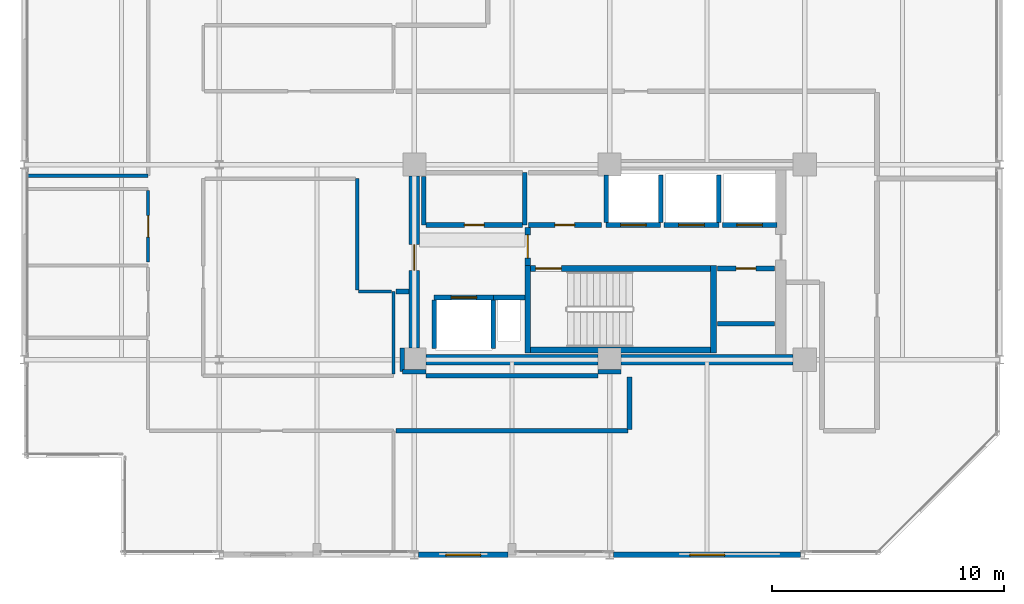
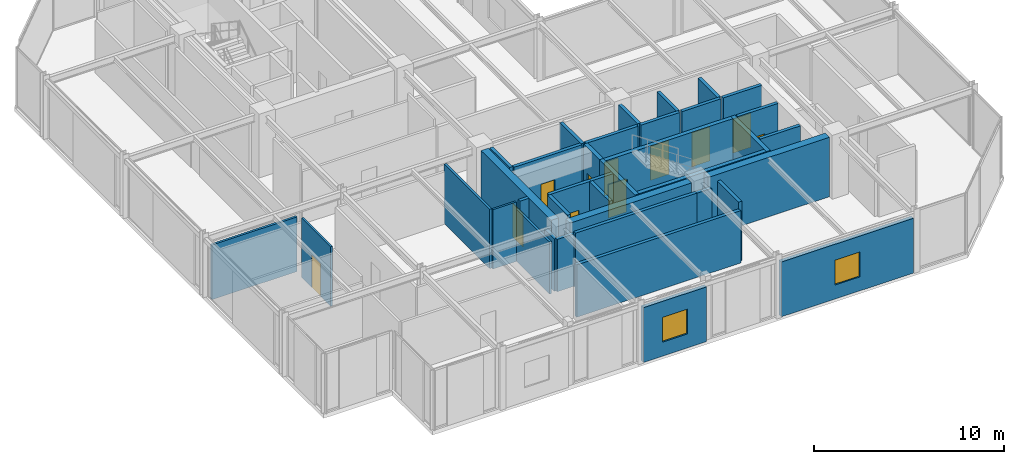
# One storey, part 20 of 25: 38 walls, 11 doors, 2 windows, 13 openings.
"""IFC4 building model written with IfcOpenShell, lengths in metres."""

from ifc_helpers import new_model, si_unit, direction, frame, frame_2d, origin, place, context, subcontext, project, spatial, rectangle, extrude, material, layer, layer_set, type_object, element, fill, save


model = new_model("IFC4")

# Units and contexts
model_context = context("Model", 3, precision=1e-05, world=origin(), true_north=direction((0.0, 1.0)))
body_context = subcontext(model_context, "Body", "Model", "MODEL_VIEW")
ifc_project = project(units=[si_unit("LENGTHUNIT", "METRE"), si_unit("AREAUNIT", "SQUARE_METRE"), si_unit("VOLUMEUNIT", "CUBIC_METRE"), si_unit("PLANEANGLEUNIT", "RADIAN"), si_unit("MASSUNIT", "GRAM", prefix="KILO")], contexts=[model_context])

# Site, building, storey
site_placement = place(None, origin())
site = spatial("IfcSite", under=ifc_project, at=site_placement, CompositionType="ELEMENT")
building_placement = place(site_placement, origin())
building = spatial("IfcBuilding", under=site, at=building_placement, Name="Nerrivon Quay Data Exchange", CompositionType="ELEMENT")
storey_placement = place(building_placement, frame((0.0, 0.0, 232.89990234375)))
storey = spatial("IfcBuildingStorey", under=building, at=storey_placement, Name="L55", CompositionType="ELEMENT", Elevation=232.89990234375)

# Wall, opening, window
ifc_material_1 = material(Name="Architectural terracotta precast concrete N50 (50 MPa)", Category="masonry")
ifc_layer_1 = layer(ifc_material_1, 0.239990234375)
ifc_layer_set_1 = layer_set([ifc_layer_1], Name="Architectural terracotta precast concrete N50 (50 MPa)")
wall_type_1 = type_object("IfcWallType", Name="EW-PREC-240", PredefinedType="STANDARD", material=ifc_layer_set_1)
wall_1_placement = place(storey_placement, frame((33.425048828125, 0.0, 0.0), z_axis=(0.0, 0.0, 1.0), x_axis=(-1.0, 0.0, 0.0)))
wall_1 = element("IfcWall", 1, at=wall_1_placement, inside=storey, type_object=wall_type_1, Name="L55 Podium Precast Spandrel Wall 3", PredefinedType="STANDARD", context=body_context, shape_type="SweptSolid", body=[
    extrude(rectangle(XDim=8.050048828125, YDim=0.239990234375, at=frame_2d((4.02490234375, 0.0))), origin(), (0.0, 0.0, 1.0), 3.525146484375),
])
opening_1_placement = place(wall_1_placement, frame((3.27490234375, 0.0, 0.89990234375)))
opening_1 = element("IfcOpeningElement", 2, at=opening_1_placement, cuts=wall_1, Name="Opening WN4", PredefinedType="OPENING", context=body_context, shape_type="SweptSolid", body=[
    extrude(rectangle(XDim=1.5, YDim=1.60009765625, at=frame_2d((0.75, 0.800048828125))), frame((0.0, 0.1298828125, 0.0), z_axis=(0.0, -1.0, 0.0), x_axis=(1.0, 0.0, 0.0)), (0.0, 0.0, 1.0), 0.260009765625),
])
ifc_material_2 = material(Name="Double-glazed low-E solar control glass", Category="glass")
window_type = type_object("IfcWindowType", Name="WIN-W4-1500x1600", PartitioningType="SINGLE_PANEL", PredefinedType="WINDOW", material=ifc_material_2)
window_1_placement = place(opening_1_placement, origin())
window_1 = element("IfcWindow", 3, at=window_1_placement, inside=storey, type_object=window_type, Name="L55 Solar Facade Window 3", OverallHeight=1.60009765625, OverallWidth=1.5, PartitioningType="SINGLE_PANEL", PredefinedType="WINDOW", context=body_context, shape_type="SweptSolid", body=[
    extrude(rectangle(XDim=1.5, YDim=1.60009765625, at=frame_2d((0.75, 0.800048828125))), frame((0.0, 0.030029296875, 0.0), z_axis=(0.0, -1.0, 0.0), x_axis=(1.0, 0.0, 0.0)), (0.0, 0.0, 1.0), 0.06005859375),
])
fill(opening_1, window_1)

wall_2_placement = place(storey_placement, frame((20.824951171875, 0.0, 0.0), z_axis=(0.0, 0.0, 1.0), x_axis=(-1.0, 0.0, 0.0)))
wall_2 = element("IfcWall", 4, at=wall_2_placement, inside=storey, type_object=wall_type_1, Name="L55 Podium Precast Spandrel Wall 5", PredefinedType="STANDARD", context=body_context, shape_type="SweptSolid", body=[
    extrude(rectangle(XDim=3.849853515625, YDim=0.239990234375, at=frame_2d((1.9248046875, 0.0))), origin(), (0.0, 0.0, 1.0), 3.525146484375),
])
opening_2_placement = place(wall_2_placement, frame((1.175048828125, 0.0, 0.89990234375)))
opening_2 = element("IfcOpeningElement", 5, at=opening_2_placement, cuts=wall_2, Name="Opening WN4", PredefinedType="OPENING", context=body_context, shape_type="SweptSolid", body=[
    extrude(rectangle(XDim=1.5, YDim=1.60009765625, at=frame_2d((0.75, 0.800048828125))), frame((0.0, 0.1298828125, 0.0), z_axis=(0.0, -1.0, 0.0), x_axis=(1.0, 0.0, 0.0)), (0.0, 0.0, 1.0), 0.260009765625),
])
window_2_placement = place(opening_2_placement, origin())
window_2 = element("IfcWindow", 6, at=window_2_placement, inside=storey, type_object=window_type, Name="L55 Solar Facade Window 5", OverallHeight=1.60009765625, OverallWidth=1.5, PartitioningType="SINGLE_PANEL", PredefinedType="WINDOW", context=body_context, shape_type="SweptSolid", body=[
    extrude(rectangle(XDim=1.5, YDim=1.60009765625, at=frame_2d((0.75, 0.800048828125))), frame((0.0, 0.030029296875, 0.0), z_axis=(0.0, -1.0, 0.0), x_axis=(1.0, 0.0, 0.0)), (0.0, 0.0, 1.0), 0.06005859375),
])
fill(opening_2, window_2)

# Walls
ifc_material_3 = material(Name="Concrete N50 (50 MPa)", Category="concrete")
ifc_layer_2 = layer(ifc_material_3, 0.449951171875)
ifc_layer_set_2 = layer_set([ifc_layer_2], Name="Concrete N50 (50 MPa)")
wall_type_2 = type_object("IfcWallType", Name="WALL-CW-550", PredefinedType="SHEAR", material=ifc_layer_set_2)
wall_3_placement = place(storey_placement, frame((17.300048828125, 8.39990234375, 0.0), z_axis=(0.0, 0.0, 1.0), x_axis=(1.0, 0.0, 0.0)))
element("IfcWall", 7, at=wall_3_placement, inside=storey, type_object=wall_type_2, Name="L55 East Split-Core Shear Wall ECW-S1", PredefinedType="SHEAR", context=body_context, shape_type="SweptSolid", body=[
    extrude(rectangle(XDim=7.39990234375, YDim=0.449951171875, at=frame_2d((3.699951171875, 0.0))), origin(), (0.0, 0.0, 1.0), 3.8251953125),
])
wall_4_placement = place(storey_placement, frame((25.699951171875, 8.39990234375, 0.0), z_axis=(0.0, 0.0, 1.0), x_axis=(1.0, 0.0, 0.0)))
element("IfcWall", 8, at=wall_4_placement, inside=storey, type_object=wall_type_2, Name="L55 East Split-Core Shear Wall ECW-S2", PredefinedType="SHEAR", context=body_context, shape_type="SweptSolid", body=[
    extrude(rectangle(XDim=7.400146484375, YDim=0.449951171875, at=frame_2d((3.7001953125, 0.0))), origin(), (0.0, 0.0, 1.0), 3.8251953125),
])

# Wall, opening, door
wall_5_placement = place(storey_placement, frame((16.800048828125, 8.89990234375, 0.0), z_axis=(0.0, 0.0, 1.0), x_axis=(0.0, 1.0, 0.0)))
wall_5 = element("IfcWall", 9, at=wall_5_placement, inside=storey, type_object=wall_type_2, Name="L55 East Split-Core Shear Wall ECW-W1", PredefinedType="SHEAR", context=body_context, shape_type="SweptSolid", body=[
    extrude(rectangle(XDim=7.400146484375, YDim=0.449951171875, at=frame_2d((3.7001953125, 0.0))), origin(), (0.0, 0.0, 1.0), 3.8251953125),
])
opening_3_placement = place(wall_5_placement, frame((3.35009765625, 0.0, 0.0)))
opening_3 = element("IfcOpeningElement", 10, at=opening_3_placement, cuts=wall_5, Name="Opening FD-120", PredefinedType="OPENING", context=body_context, shape_type="SweptSolid", body=[
    extrude(rectangle(XDim=1.10009765625, YDim=2.14990234375, at=frame_2d((0.550048828125, 1.074951171875))), frame((0.0, 0.23486328125, 0.0), z_axis=(0.0, -1.0, 0.0), x_axis=(1.0, 0.0, 0.0)), (0.0, 0.0, 1.0), 0.469970703125),
])
ifc_material_4 = material(Name="Powder-coated galvanized steel sheet", Category="steel")
door_type_1 = type_object("IfcDoorType", Name="DR-FD120-1100", OperationType="NOTDEFINED", PredefinedType="DOOR", material=ifc_material_4)
door_1_placement = place(opening_3_placement, origin())
door_1 = element("IfcDoor", 11, at=door_1_placement, inside=storey, type_object=door_type_1, Name="L55 East Core Lobby Fire Door", OperationType="SINGLE_SWING_RIGHT", OverallHeight=2.14990234375, OverallWidth=1.10009765625, PredefinedType="DOOR", context=body_context, shape_type="SweptSolid", body=[
    extrude(rectangle(XDim=1.10009765625, YDim=2.14990234375, at=frame_2d((0.550048828125, 1.074951171875))), frame((0.0, 0.02490234375, 0.0), z_axis=(0.0, -1.0, 0.0), x_axis=(1.0, 0.0, 0.0)), (0.0, 0.0, 1.0), 0.050048828125),
])
fill(opening_3, door_1)

# Wall
ifc_material_5 = material(Name="Gypsum plasterboard on cold-formed framing", Category="gypsum")
ifc_layer_3 = layer(ifc_material_5, 0.199951171875)
ifc_layer_set_3 = layer_set([ifc_layer_3], Name="Gypsum plasterboard on cold-formed framing")
wall_type_3 = type_object("IfcWallType", Name="WALL-FW-200", PredefinedType="PARTITIONING", material=ifc_layer_set_3)
wall_6_placement = place(storey_placement, frame((20.199951171875, 11.080078125, 0.0), z_axis=(0.0, 0.0, 1.0), x_axis=(1.0, 0.0, 0.0)))
element("IfcWall", 12, at=wall_6_placement, inside=storey, type_object=wall_type_3, Name="L55 East Core MEP Riser Shaft Wall N", PredefinedType="PARTITIONING", context=body_context, shape_type="SweptSolid", body=[
    extrude(rectangle(XDim=1.35009765625, YDim=0.199951171875, at=frame_2d((0.675048828125, 0.0))), origin(), (0.0, 0.0, 1.0), 3.8251953125),
])

# Wall, opening, door
wall_7_placement = place(storey_placement, frame((17.64990234375, 11.080078125, 0.0), z_axis=(0.0, 0.0, 1.0), x_axis=(1.0, 0.0, 0.0)))
wall_7 = element("IfcWall", 13, at=wall_7_placement, inside=storey, type_object=wall_type_3, Name="L55 Lift Front Wall FFL-2", PredefinedType="PARTITIONING", context=body_context, shape_type="SweptSolid", body=[
    extrude(rectangle(XDim=2.550048828125, YDim=0.199951171875, at=frame_2d((1.27490234375, 0.0))), origin(), (0.0, 0.0, 1.0), 3.8251953125),
])
opening_4_placement = place(wall_7_placement, frame((0.72509765625, 0.0, 0.0)))
opening_4 = element("IfcOpeningElement", 14, at=opening_4_placement, cuts=wall_7, Name="Opening LD-120", PredefinedType="OPENING", context=body_context, shape_type="SweptSolid", body=[
    extrude(rectangle(XDim=1.10009765625, YDim=2.199951171875, at=frame_2d((0.550048828125, 1.10009765625))), frame((0.0, 0.10986328125, 0.0), z_axis=(0.0, -1.0, 0.0), x_axis=(1.0, 0.0, 0.0)), (0.0, 0.0, 1.0), 0.219970703125),
])
door_type_2 = type_object("IfcDoorType", Name="DR-LIFT-LD120", OperationType="DOUBLE_DOOR_SLIDING", PredefinedType="DOOR", material=ifc_material_4)
door_2_placement = place(opening_4_placement, origin())
door_2 = element("IfcDoor", 15, at=door_2_placement, inside=storey, type_object=door_type_2, Name="L55 Lift Landing Sliding Door FFL-2", OperationType="DOUBLE_DOOR_SLIDING", OverallHeight=2.199951171875, OverallWidth=1.10009765625, PredefinedType="DOOR", context=body_context, shape_type="SweptSolid", body=[
    extrude(rectangle(XDim=1.10009765625, YDim=2.199951171875, at=frame_2d((0.550048828125, 1.10009765625))), frame((0.0, 0.02490234375, 0.0), z_axis=(0.0, -1.0, 0.0), x_axis=(1.0, 0.0, 0.0)), (0.0, 0.0, 1.0), 0.050048828125),
])
fill(opening_4, door_2)

# Walls
for number, where, z_axis, x_axis, name in (
    (16, (20.199951171875, 8.8798828125, 0.0), (0.0, 0.0, 1.0), (0.0, 1.0, 0.0), "L55 Lift Shaft Wall FFL-2 EAST"),
    (17, (17.64990234375, 8.8798828125, 0.0), (0.0, 0.0, 1.0), (0.0, 1.0, 0.0), "L55 Lift Shaft Wall FFL-2 WEST"),
):
    element("IfcWall", number, at=place(storey_placement, frame(where, z_axis=z_axis, x_axis=x_axis)), inside=storey, type_object=wall_type_3, Name=name, PredefinedType="PARTITIONING", context=body_context, shape_type="SweptSolid", body=[
        extrude(rectangle(XDim=2.10009765625, YDim=0.199951171875, at=frame_2d((1.050048828125, 0.0))), origin(), (0.0, 0.0, 1.0), 3.8251953125),
    ])

# Wall, opening, door
wall_8_placement = place(storey_placement, frame((25.050048828125, 14.199951171875, 0.0), z_axis=(0.0, 0.0, 1.0), x_axis=(1.0, 0.0, 0.0)))
wall_8 = element("IfcWall", 18, at=wall_8_placement, inside=storey, type_object=wall_type_3, Name="L55 Lift Front Wall PL7", PredefinedType="PARTITIONING", context=body_context, shape_type="SweptSolid", body=[
    extrude(rectangle(XDim=2.349853515625, YDim=0.199951171875, at=frame_2d((1.1748046875, 0.0))), origin(), (0.0, 0.0, 1.0), 3.8251953125),
])
opening_5_placement = place(wall_8_placement, frame((0.625, 0.0, 0.0)))
opening_5 = element("IfcOpeningElement", 19, at=opening_5_placement, cuts=wall_8, Name="Opening LD-120", PredefinedType="OPENING", context=body_context, shape_type="SweptSolid", body=[
    extrude(rectangle(XDim=1.10009765625, YDim=2.199951171875, at=frame_2d((0.550048828125, 1.10009765625))), frame((0.0, 0.10986328125, 0.0), z_axis=(0.0, -1.0, 0.0), x_axis=(1.0, 0.0, 0.0)), (0.0, 0.0, 1.0), 0.219970703125),
])
door_3_placement = place(opening_5_placement, origin())
door_3 = element("IfcDoor", 20, at=door_3_placement, inside=storey, type_object=door_type_2, Name="L55 Lift Landing Sliding Door PL7", OperationType="DOUBLE_DOOR_SLIDING", OverallHeight=2.199951171875, OverallWidth=1.10009765625, PredefinedType="DOOR", context=body_context, shape_type="SweptSolid", body=[
    extrude(rectangle(XDim=1.10009765625, YDim=2.199951171875, at=frame_2d((0.550048828125, 1.10009765625))), frame((0.0, 0.02490234375, 0.0), z_axis=(0.0, -1.0, 0.0), x_axis=(1.0, 0.0, 0.0)), (0.0, 0.0, 1.0), 0.050048828125),
])
fill(opening_5, door_3)

# Walls
for number, where, z_axis, x_axis, name in (
    (21, (27.39990234375, 14.300048828125, 0.0), (0.0, 0.0, 1.0), (0.0, 1.0, 0.0), "L55 Lift Shaft Wall PL7 EAST"),
    (22, (25.050048828125, 14.300048828125, 0.0), (0.0, 0.0, 1.0), (0.0, 1.0, 0.0), "L55 Lift Shaft Wall PL7 WEST"),
):
    element("IfcWall", number, at=place(storey_placement, frame(where, z_axis=z_axis, x_axis=x_axis)), inside=storey, type_object=wall_type_3, Name=name, PredefinedType="PARTITIONING", context=body_context, shape_type="SweptSolid", body=[
        extrude(rectangle(XDim=2.050048828125, YDim=0.199951171875, at=frame_2d((1.02490234375, 0.0))), origin(), (0.0, 0.0, 1.0), 3.8251953125),
    ])

# Wall, opening, door
wall_9_placement = place(storey_placement, frame((27.550048828125, 14.199951171875, 0.0), z_axis=(0.0, 0.0, 1.0), x_axis=(1.0, 0.0, 0.0)))
wall_9 = element("IfcWall", 23, at=wall_9_placement, inside=storey, type_object=wall_type_3, Name="L55 Lift Front Wall PL8", PredefinedType="PARTITIONING", context=body_context, shape_type="SweptSolid", body=[
    extrude(rectangle(XDim=2.349853515625, YDim=0.199951171875, at=frame_2d((1.1748046875, 0.0))), origin(), (0.0, 0.0, 1.0), 3.8251953125),
])
opening_6_placement = place(wall_9_placement, frame((0.625, 0.0, 0.0)))
opening_6 = element("IfcOpeningElement", 24, at=opening_6_placement, cuts=wall_9, Name="Opening LD-120", PredefinedType="OPENING", context=body_context, shape_type="SweptSolid", body=[
    extrude(rectangle(XDim=1.10009765625, YDim=2.199951171875, at=frame_2d((0.550048828125, 1.10009765625))), frame((0.0, 0.10986328125, 0.0), z_axis=(0.0, -1.0, 0.0), x_axis=(1.0, 0.0, 0.0)), (0.0, 0.0, 1.0), 0.219970703125),
])
door_4_placement = place(opening_6_placement, origin())
door_4 = element("IfcDoor", 25, at=door_4_placement, inside=storey, type_object=door_type_2, Name="L55 Lift Landing Sliding Door PL8", OperationType="DOUBLE_DOOR_SLIDING", OverallHeight=2.199951171875, OverallWidth=1.10009765625, PredefinedType="DOOR", context=body_context, shape_type="SweptSolid", body=[
    extrude(rectangle(XDim=1.10009765625, YDim=2.199951171875, at=frame_2d((0.550048828125, 1.10009765625))), frame((0.0, 0.02490234375, 0.0), z_axis=(0.0, -1.0, 0.0), x_axis=(1.0, 0.0, 0.0)), (0.0, 0.0, 1.0), 0.050048828125),
])
fill(opening_6, door_4)

# Wall
wall_10_placement = place(storey_placement, frame((29.89990234375, 14.300048828125, 0.0), z_axis=(0.0, 0.0, 1.0), x_axis=(0.0, 1.0, 0.0)))
element("IfcWall", 26, at=wall_10_placement, inside=storey, type_object=wall_type_3, Name="L55 Lift Shaft Wall PL8 EAST", PredefinedType="PARTITIONING", context=body_context, shape_type="SweptSolid", body=[
    extrude(rectangle(XDim=2.050048828125, YDim=0.199951171875, at=frame_2d((1.02490234375, 0.0))), origin(), (0.0, 0.0, 1.0), 3.8251953125),
])

# Wall, opening, door
wall_11_placement = place(storey_placement, frame((30.050048828125, 14.199951171875, 0.0), z_axis=(0.0, 0.0, 1.0), x_axis=(1.0, 0.0, 0.0)))
wall_11 = element("IfcWall", 27, at=wall_11_placement, inside=storey, type_object=wall_type_3, Name="L55 Lift Front Wall PL9", PredefinedType="PARTITIONING", context=body_context, shape_type="SweptSolid", body=[
    extrude(rectangle(XDim=2.349853515625, YDim=0.199951171875, at=frame_2d((1.1748046875, 0.0))), origin(), (0.0, 0.0, 1.0), 3.8251953125),
])
opening_7_placement = place(wall_11_placement, frame((0.625, 0.0, 0.0)))
opening_7 = element("IfcOpeningElement", 28, at=opening_7_placement, cuts=wall_11, Name="Opening LD-120", PredefinedType="OPENING", context=body_context, shape_type="SweptSolid", body=[
    extrude(rectangle(XDim=1.10009765625, YDim=2.199951171875, at=frame_2d((0.550048828125, 1.10009765625))), frame((0.0, 0.10986328125, 0.0), z_axis=(0.0, -1.0, 0.0), x_axis=(1.0, 0.0, 0.0)), (0.0, 0.0, 1.0), 0.219970703125),
])
door_5_placement = place(opening_7_placement, origin())
door_5 = element("IfcDoor", 29, at=door_5_placement, inside=storey, type_object=door_type_2, Name="L55 Lift Landing Sliding Door PL9", OperationType="DOUBLE_DOOR_SLIDING", OverallHeight=2.199951171875, OverallWidth=1.10009765625, PredefinedType="DOOR", context=body_context, shape_type="SweptSolid", body=[
    extrude(rectangle(XDim=1.10009765625, YDim=2.199951171875, at=frame_2d((0.550048828125, 1.10009765625))), frame((0.0, 0.02490234375, 0.0), z_axis=(0.0, -1.0, 0.0), x_axis=(1.0, 0.0, 0.0)), (0.0, 0.0, 1.0), 0.050048828125),
])
fill(opening_7, door_5)

# Walls
wall_12_placement = place(storey_placement, frame((21.550048828125, 14.199951171875, 0.0), z_axis=(0.0, 0.0, 1.0), x_axis=(0.0, 1.0, 0.0)))
element("IfcWall", 30, at=wall_12_placement, inside=storey, type_object=wall_type_3, Name="L55 Partition High-Zone Calibration Store", PredefinedType="PARTITIONING", context=body_context, shape_type="SweptSolid", body=[
    extrude(rectangle(XDim=2.25, YDim=0.199951171875, at=frame_2d((1.125, 0.0))), origin(), (0.0, 0.0, 1.0), 3.8251953125),
])
wall_13_placement = place(storey_placement, frame((17.199951171875, 16.294921875, 0.0), z_axis=(0.0, 0.0, 1.0), x_axis=(0.0, -1.0, 0.0)))
element("IfcWall", 31, at=wall_13_placement, inside=storey, type_object=wall_type_3, Name="L55 Partition High-Zone Calibration Store", PredefinedType="PARTITIONING", context=body_context, shape_type="SweptSolid", body=[
    extrude(rectangle(XDim=2.094970703125, YDim=0.199951171875, at=frame_2d((1.04736328125, 0.0))), origin(), (0.0, 0.0, 1.0), 3.8251953125),
])

# Wall, opening, door
wall_14_placement = place(storey_placement, frame((17.303955078125, 14.199951171875, 0.0), z_axis=(0.0, 0.0, 1.0), x_axis=(1.0, 0.0, 0.0)))
wall_14 = element("IfcWall", 32, at=wall_14_placement, inside=storey, type_object=wall_type_3, Name="L55 Partition High-Zone Calibration Store", PredefinedType="PARTITIONING", context=body_context, shape_type="SweptSolid", body=[
    extrude(rectangle(XDim=4.14208984375, YDim=0.199951171875, at=frame_2d((2.071044921875, 0.0))), origin(), (0.0, 0.0, 1.0), 3.8251953125),
])
opening_8_placement = place(wall_14_placement, frame((1.64599609375, 0.0, 0.0)))
opening_8 = element("IfcOpeningElement", 33, at=opening_8_placement, cuts=wall_14, Name="Opening FD-60S", PredefinedType="OPENING", context=body_context, shape_type="SweptSolid", body=[
    extrude(rectangle(XDim=0.85009765625, YDim=2.14990234375, at=frame_2d((0.425048828125, 1.074951171875))), frame((0.0, 0.10986328125, 0.0), z_axis=(0.0, -1.0, 0.0), x_axis=(1.0, 0.0, 0.0)), (0.0, 0.0, 1.0), 0.219970703125),
])
ifc_material_6 = material(Name="Engineered hardwood timber", Category="wood")
door_type_3 = type_object("IfcDoorType", Name="DR-FD60-850", OperationType="NOTDEFINED", PredefinedType="DOOR", material=ifc_material_6)
door_6_placement = place(opening_8_placement, origin())
door_6 = element("IfcDoor", 34, at=door_6_placement, inside=storey, type_object=door_type_3, Name="L55 Door High-Zone Calibration Store", OperationType="SINGLE_SWING_LEFT", OverallHeight=2.14990234375, OverallWidth=0.85009765625, PredefinedType="DOOR", context=body_context, shape_type="SweptSolid", body=[
    extrude(rectangle(XDim=0.85009765625, YDim=2.14990234375, at=frame_2d((0.425048828125, 1.074951171875))), frame((0.0, 0.02490234375, 0.0), z_axis=(0.0, -1.0, 0.0), x_axis=(1.0, 0.0, 0.0)), (0.0, 0.0, 1.0), 0.050048828125),
])
fill(opening_8, door_6)

wall_15_placement = place(storey_placement, frame((21.699951171875, 14.199951171875, 0.0), z_axis=(0.0, 0.0, 1.0), x_axis=(1.0, 0.0, 0.0)))
wall_15 = element("IfcWall", 35, at=wall_15_placement, inside=storey, type_object=wall_type_3, Name="L55 Partition High-Zone Network Closet", PredefinedType="PARTITIONING", context=body_context, shape_type="SweptSolid", body=[
    extrude(rectangle(XDim=3.150146484375, YDim=0.199951171875, at=frame_2d((1.5751953125, 0.0))), origin(), (0.0, 0.0, 1.0), 3.8251953125),
])
opening_9_placement = place(wall_15_placement, frame((1.14990234375, 0.0, 0.0)))
opening_9 = element("IfcOpeningElement", 36, at=opening_9_placement, cuts=wall_15, Name="Opening FD-60S", PredefinedType="OPENING", context=body_context, shape_type="SweptSolid", body=[
    extrude(rectangle(XDim=0.85009765625, YDim=2.14990234375, at=frame_2d((0.425048828125, 1.074951171875))), frame((0.0, 0.10986328125, 0.0), z_axis=(0.0, -1.0, 0.0), x_axis=(1.0, 0.0, 0.0)), (0.0, 0.0, 1.0), 0.219970703125),
])
door_7_placement = place(opening_9_placement, origin())
door_7 = element("IfcDoor", 37, at=door_7_placement, inside=storey, type_object=door_type_3, Name="L55 Door High-Zone Network Closet", OperationType="SINGLE_SWING_RIGHT", OverallHeight=2.14990234375, OverallWidth=0.85009765625, PredefinedType="DOOR", context=body_context, shape_type="SweptSolid", body=[
    extrude(rectangle(XDim=0.85009765625, YDim=2.14990234375, at=frame_2d((0.425048828125, 1.074951171875))), frame((0.0, 0.02490234375, 0.0), z_axis=(0.0, -1.0, 0.0), x_axis=(1.0, 0.0, 0.0)), (0.0, 0.0, 1.0), 0.050048828125),
])
fill(opening_9, door_7)

wall_16_placement = place(storey_placement, frame((32.300048828125, 12.330078125, 0.0), z_axis=(0.0, 0.0, 1.0), x_axis=(-1.0, 0.0, 0.0)))
wall_16 = element("IfcWall", 38, at=wall_16_placement, inside=storey, type_object=wall_type_3, Name="L55 Partition East Supply Store", PredefinedType="PARTITIONING", context=body_context, shape_type="SweptSolid", body=[
    extrude(rectangle(XDim=2.449951171875, YDim=0.199951171875, at=frame_2d((1.22509765625, 0.0))), origin(), (0.0, 0.0, 1.0), 3.8251953125),
])
opening_10_placement = place(wall_16_placement, frame((0.800048828125, 0.0, 0.0)))
opening_10 = element("IfcOpeningElement", 39, at=opening_10_placement, cuts=wall_16, Name="Opening FD-60S", PredefinedType="OPENING", context=body_context, shape_type="SweptSolid", body=[
    extrude(rectangle(XDim=0.85009765625, YDim=2.14990234375, at=frame_2d((0.425048828125, 1.074951171875))), frame((0.0, 0.10986328125, 0.0), z_axis=(0.0, -1.0, 0.0), x_axis=(1.0, 0.0, 0.0)), (0.0, 0.0, 1.0), 0.219970703125),
])
door_8_placement = place(opening_10_placement, origin())
door_8 = element("IfcDoor", 40, at=door_8_placement, inside=storey, type_object=door_type_3, Name="L55 Door East Supply Store", OperationType="SINGLE_SWING_LEFT", OverallHeight=2.14990234375, OverallWidth=0.85009765625, PredefinedType="DOOR", context=body_context, shape_type="SweptSolid", body=[
    extrude(rectangle(XDim=0.85009765625, YDim=2.14990234375, at=frame_2d((0.425048828125, 1.074951171875))), frame((0.0, 0.02490234375, 0.0), z_axis=(0.0, -1.0, 0.0), x_axis=(1.0, 0.0, 0.0)), (0.0, 0.0, 1.0), 0.050048828125),
])
fill(opening_10, door_8)

# Walls
wall_17_placement = place(storey_placement, frame((29.85009765625, 9.949951171875, 0.0), z_axis=(0.0, 0.0, 1.0), x_axis=(1.0, 0.0, 0.0)))
element("IfcWall", 41, at=wall_17_placement, inside=storey, type_object=wall_type_3, Name="L55 Partition East Supply Store", PredefinedType="PARTITIONING", context=body_context, shape_type="SweptSolid", body=[
    extrude(rectangle(XDim=2.449951171875, YDim=0.199951171875, at=frame_2d((1.22509765625, 0.0))), origin(), (0.0, 0.0, 1.0), 3.8251953125),
])
wall_18_placement = place(storey_placement, frame((26.0, 5.340087890625, 0.0), z_axis=(0.0, 0.0, 1.0), x_axis=(-1.0, 0.0, 0.0)))
element("IfcWall", 42, at=wall_18_placement, inside=storey, type_object=wall_type_3, Name="L55 Partition Colocation Data Workspace 1", PredefinedType="PARTITIONING", context=body_context, shape_type="SweptSolid", body=[
    extrude(rectangle(XDim=9.9853515625, YDim=0.199951171875, at=frame_2d((4.99267578125, 0.0))), origin(), (0.0, 0.0, 1.0), 3.37109375),
])
wall_19_placement = place(storey_placement, frame((25.699951171875, 7.8798828125, 0.0), z_axis=(0.0, 0.0, 1.0), x_axis=(-0.999999528702, 0.000970873329, 0.0)))
element("IfcWall", 43, at=wall_19_placement, inside=storey, type_object=wall_type_3, Name="L55 Partition Colocation Data Workspace 1", PredefinedType="PARTITIONING", context=body_context, shape_type="SweptSolid", body=[
    extrude(rectangle(XDim=1.005859375, YDim=0.199951171875, at=frame_2d((0.5029296875, 0.0))), origin(), (0.0, 0.0, 1.0), 3.37109375),
])
wall_20_placement = place(storey_placement, frame((17.305908203125, 7.880859375, 0.0), z_axis=(0.0, 0.0, 1.0), x_axis=(-1.0, 0.0, 0.0)))
element("IfcWall", 44, at=wall_20_placement, inside=storey, type_object=wall_type_3, Name="L55 Partition Colocation Data Workspace 1", PredefinedType="PARTITIONING", context=body_context, shape_type="SweptSolid", body=[
    extrude(rectangle(XDim=1.01171875, YDim=0.199951171875, at=frame_2d((0.505859375, 0.0))), origin(), (0.0, 0.0, 1.0), 3.37109375),
])
wall_21_placement = place(storey_placement, frame((16.280029296875, 7.89990234375, 0.0), z_axis=(0.0, 0.0, 1.0), x_axis=(0.000970873329, 0.999999528702, 0.0)))
element("IfcWall", 45, at=wall_21_placement, inside=storey, type_object=wall_type_3, Name="L55 Partition Colocation Data Workspace 1", PredefinedType="PARTITIONING", context=body_context, shape_type="SweptSolid", body=[
    extrude(rectangle(XDim=1.005859375, YDim=0.199951171875, at=frame_2d((0.5029296875, 0.0))), origin(), (0.0, 0.0, 1.0), 3.364990234375),
])
wall_22_placement = place(storey_placement, frame((16.571044921875, 11.340087890625, 0.0), z_axis=(0.0, 0.0, 1.0), x_axis=(-1.0, 0.0, 0.0)))
element("IfcWall", 46, at=wall_22_placement, inside=storey, type_object=wall_type_3, Name="L55 Partition Colocation Data Workspace 1", PredefinedType="PARTITIONING", context=body_context, shape_type="SweptSolid", body=[
    extrude(rectangle(XDim=0.556396484375, YDim=0.199951171875, at=frame_2d((0.2783203125, 0.0))), origin(), (0.0, 0.0, 1.0), 3.8251953125),
])
wall_23_placement = place(storey_placement, frame((17.305908203125, 7.7099609375, 0.0), z_axis=(0.0, 0.0, 1.0), x_axis=(0.999999999454, -3.3044743e-05, 0.0)))
element("IfcWall", 47, at=wall_23_placement, inside=storey, type_object=wall_type_3, Name="L55 Partition Colocation Data Workspace 1", PredefinedType="PARTITIONING", context=body_context, shape_type="SweptSolid", body=[
    extrude(rectangle(XDim=7.38818359375, YDim=0.199951171875, at=frame_2d((3.694091796875, 0.0))), origin(), (0.0, 0.0, 1.0), 3.51806640625),
])
wall_24_placement = place(storey_placement, frame((26.06005859375, 7.64990234375, 0.0), z_axis=(0.0, 0.0, 1.0), x_axis=(0.0, -1.0, 0.0)))
element("IfcWall", 48, at=wall_24_placement, inside=storey, type_object=wall_type_3, Name="L55 Partition Colocation Data Workspace 1", PredefinedType="PARTITIONING", context=body_context, shape_type="SweptSolid", body=[
    extrude(rectangle(XDim=2.25, YDim=0.199951171875, at=frame_2d((1.125, 0.0))), origin(), (0.0, 0.0, 1.0), 3.8251953125),
])

# Wall, opening, door
ifc_layer_4 = layer(ifc_material_5, 0.1201171875)
ifc_layer_set_4 = layer_set([ifc_layer_4], Name="Gypsum plasterboard on cold-formed framing")
wall_type_4 = type_object("IfcWallType", Name="WALL-PT-120", PredefinedType="PARTITIONING", material=ifc_layer_set_4)
wall_25_placement = place(storey_placement, frame((5.340087890625, 12.60009765625, 0.0), z_axis=(0.0, 0.0, 1.0), x_axis=(0.0, 1.0, 0.0)))
wall_25 = element("IfcWall", 49, at=wall_25_placement, inside=storey, type_object=wall_type_4, Name="L55 Partition Public Washrooms", PredefinedType="PARTITIONING", context=body_context, shape_type="SweptSolid", body=[
    extrude(rectangle(XDim=3.078369140625, YDim=0.1201171875, at=frame_2d((1.5390625, 0.0))), origin(), (0.0, 0.0, 1.0), 3.8251953125),
])
opening_11_placement = place(wall_25_placement, frame((1.079345703125, 0.0, 0.0)))
opening_11 = element("IfcOpeningElement", 50, at=opening_11_placement, cuts=wall_25, Name="Opening D-WC", PredefinedType="OPENING", context=body_context, shape_type="SweptSolid", body=[
    extrude(rectangle(XDim=0.919921875, YDim=2.10009765625, at=frame_2d((0.4599609375, 1.050048828125))), frame((0.0, 0.070068359375, 0.0), z_axis=(0.0, -1.0, 0.0), x_axis=(1.0, 0.0, 0.0)), (0.0, 0.0, 1.0), 0.14013671875),
])
door_type_4 = type_object("IfcDoorType", Name="DR-WC-920", OperationType="NOTDEFINED", PredefinedType="DOOR", material=ifc_material_6)
door_9_placement = place(opening_11_placement, origin())
door_9 = element("IfcDoor", 51, at=door_9_placement, inside=storey, type_object=door_type_4, Name="L55 Door Public Washrooms", OperationType="SINGLE_SWING_LEFT", OverallHeight=2.10009765625, OverallWidth=0.919921875, PredefinedType="DOOR", context=body_context, shape_type="SweptSolid", body=[
    extrude(rectangle(XDim=0.919921875, YDim=2.10009765625, at=frame_2d((0.4599609375, 1.050048828125))), frame((0.0, 0.02490234375, 0.0), z_axis=(0.0, -1.0, 0.0), x_axis=(1.0, 0.0, 0.0)), (0.0, 0.0, 1.0), 0.050048828125),
])
fill(opening_11, door_9)

# Walls
wall_26_placement = place(storey_placement, frame((15.822998046875, 11.340087890625, 0.0), z_axis=(0.0, 0.0, 1.0), x_axis=(-1.0, 0.0, 0.0)))
element("IfcWall", 52, at=wall_26_placement, inside=storey, type_object=wall_type_4, Name="L55 Partition Engineers Lounge", PredefinedType="PARTITIONING", context=body_context, shape_type="SweptSolid", body=[
    extrude(rectangle(XDim=1.423095703125, YDim=0.1201171875, at=frame_2d((0.71142578125, 0.0))), origin(), (0.0, 0.0, 1.0), 3.8251953125),
])
ifc_layer_5 = layer(ifc_material_5, 0.135009765625)
ifc_layer_set_5 = layer_set([ifc_layer_5], Name="Gypsum plasterboard on cold-formed framing")
wall_type_5 = type_object("IfcWallType", Name="WALL-PT-135", PredefinedType="PARTITIONING", material=ifc_layer_set_5)
wall_27_placement = place(storey_placement, frame((15.89453125, 7.788818359375, 0.0), z_axis=(0.0, 0.0, 1.0), x_axis=(0.0, 1.0, 0.0)))
element("IfcWall", 53, at=wall_27_placement, inside=storey, type_object=wall_type_5, Name="L55 Partition Engineers Lounge", PredefinedType="PARTITIONING", context=body_context, shape_type="SweptSolid", body=[
    extrude(rectangle(XDim=3.55126953125, YDim=0.135009765625, at=frame_2d((1.775634765625, 0.0))), origin(), (0.0, 0.0, 1.0), 3.364990234375),
])
wall_28_placement = place(storey_placement, frame((14.340087890625, 11.39990234375, 0.0), z_axis=(0.0, 0.0, 1.0), x_axis=(0.0, 1.0, 0.0)))
element("IfcWall", 54, at=wall_28_placement, inside=storey, type_object=wall_type_5, Name="L55 Partition Engineers Lounge", PredefinedType="PARTITIONING", context=body_context, shape_type="SweptSolid", body=[
    extrude(rectangle(XDim=4.80078125, YDim=0.135009765625, at=frame_2d((2.400390625, 0.0))), origin(), (0.0, 0.0, 1.0), 3.8251953125),
])
wall_29_placement = place(storey_placement, frame((0.1689453125, 16.32080078125, 0.0), z_axis=(0.0, 0.0, 1.0), x_axis=(1.0, 0.0, 0.0)))
element("IfcWall", 55, at=wall_29_placement, inside=storey, type_object=wall_type_5, Name="L55 Partition Technical Library", PredefinedType="PARTITIONING", context=body_context, shape_type="SweptSolid", body=[
    extrude(rectangle(XDim=5.171142578125, YDim=0.135009765625, at=frame_2d((2.58544921875, 0.0))), origin(), (0.0, 0.0, 1.0), 3.51806640625),
])
ifc_layer_6 = layer(ifc_material_3, 0.25)
ifc_layer_set_6 = layer_set([ifc_layer_6], Name="Concrete N50 (50 MPa)")
wall_type_6 = type_object("IfcWallType", Name="WALL-SW-250", PredefinedType="SHEAR", material=ifc_layer_set_6)
for number, where, z_axis, x_axis, name in (
    (56, (21.675048828125, 8.699951171875, 0.0), (0.0, 0.0, 1.0), (0.0, 1.0, 0.0), "L55 ST02 Structural Stair Core Wall NEAR"),
    (57, (29.675048828125, 8.699951171875, 0.0), (0.0, 0.0, 1.0), (0.0, 1.0, 0.0), "L55 ST02 Structural Stair Core Wall FAR"),
):
    element("IfcWall", number, at=place(storey_placement, frame(where, z_axis=z_axis, x_axis=x_axis)), inside=storey, type_object=wall_type_6, Name=name, PredefinedType="SHEAR", context=body_context, shape_type="SweptSolid", body=[
        extrude(rectangle(XDim=3.75, YDim=0.25, at=frame_2d((1.875, 0.0))), origin(), (0.0, 0.0, 1.0), 3.8251953125),
    ])
wall_30_placement = place(storey_placement, frame((21.800048828125, 8.824951171875, 0.0), z_axis=(0.0, 0.0, 1.0), x_axis=(1.0, 0.0, 0.0)))
element("IfcWall", 58, at=wall_30_placement, inside=storey, type_object=wall_type_6, Name="L55 ST02 Structural Stair Core Wall LEFT", PredefinedType="SHEAR", context=body_context, shape_type="SweptSolid", body=[
    extrude(rectangle(XDim=7.75, YDim=0.25, at=frame_2d((3.875, 0.0))), origin(), (0.0, 0.0, 1.0), 3.8251953125),
])

# Wall, opening, door
wall_31_placement = place(storey_placement, frame((21.800048828125, 12.324951171875, 0.0), z_axis=(0.0, 0.0, 1.0), x_axis=(1.0, 0.0, 0.0)))
wall_31 = element("IfcWall", 59, at=wall_31_placement, inside=storey, type_object=wall_type_6, Name="L55 ST02 Structural Stair Core Wall RIGHT", PredefinedType="SHEAR", context=body_context, shape_type="SweptSolid", body=[
    extrude(rectangle(XDim=7.75, YDim=0.25, at=frame_2d((3.875, 0.0))), origin(), (0.0, 0.0, 1.0), 3.8251953125),
])
opening_12_placement = place(wall_31_placement, frame((0.219970703125, 0.0, 0.0)))
opening_12 = element("IfcOpeningElement", 60, at=opening_12_placement, cuts=wall_31, Name="Opening FD-120", PredefinedType="OPENING", context=body_context, shape_type="SweptSolid", body=[
    extrude(rectangle(XDim=1.10009765625, YDim=2.14990234375, at=frame_2d((0.550048828125, 1.074951171875))), frame((0.0, 0.135009765625, 0.0), z_axis=(0.0, -1.0, 0.0), x_axis=(1.0, 0.0, 0.0)), (0.0, 0.0, 1.0), 0.27001953125),
])
door_10_placement = place(opening_12_placement, origin())
door_10 = element("IfcDoor", 61, at=door_10_placement, inside=storey, type_object=door_type_1, Name="L55 Protected Stair Door ST02", OperationType="SINGLE_SWING_RIGHT", OverallHeight=2.14990234375, OverallWidth=1.10009765625, PredefinedType="DOOR", context=body_context, shape_type="SweptSolid", body=[
    extrude(rectangle(XDim=1.10009765625, YDim=2.14990234375, at=frame_2d((0.550048828125, 1.074951171875))), frame((0.0, 0.02490234375, 0.0), z_axis=(0.0, -1.0, 0.0), x_axis=(1.0, 0.0, 0.0)), (0.0, 0.0, 1.0), 0.050048828125),
])
fill(opening_12, door_10)

wall_32_placement = place(storey_placement, frame((21.679931640625, 12.449951171875, 0.0), z_axis=(0.0, 0.0, 1.0), x_axis=(0.0, 1.0, 0.0)))
wall_32 = element("IfcWall", 62, at=wall_32_placement, inside=storey, type_object=wall_type_6, Name="L55 East Firefighting Lobby Wall", PredefinedType="SHEAR", context=body_context, shape_type="SweptSolid", body=[
    extrude(rectangle(XDim=1.650146484375, YDim=0.25, at=frame_2d((0.8251953125, 0.0))), origin(), (0.0, 0.0, 1.0), 3.8251953125),
])
opening_13_placement = place(wall_32_placement, frame((0.324951171875, 0.0, 0.0)))
opening_13 = element("IfcOpeningElement", 63, at=opening_13_placement, cuts=wall_32, Name="Opening FD-60", PredefinedType="OPENING", context=body_context, shape_type="SweptSolid", body=[
    extrude(rectangle(XDim=1.0, YDim=2.14990234375, at=frame_2d((0.5, 1.074951171875))), frame((0.0, 0.135009765625, 0.0), z_axis=(0.0, -1.0, 0.0), x_axis=(1.0, 0.0, 0.0)), (0.0, 0.0, 1.0), 0.27001953125),
])
door_type_5 = type_object("IfcDoorType", Name="DR-FD60-1000", OperationType="NOTDEFINED", PredefinedType="DOOR", material=ifc_material_6)
door_11_placement = place(opening_13_placement, origin())
door_11 = element("IfcDoor", 64, at=door_11_placement, inside=storey, type_object=door_type_5, Name="L55 East Firefighting Lobby Fire Door", OperationType="SINGLE_SWING_RIGHT", OverallHeight=2.14990234375, OverallWidth=1.0, PredefinedType="DOOR", context=body_context, shape_type="SweptSolid", body=[
    extrude(rectangle(XDim=1.0, YDim=2.14990234375, at=frame_2d((0.5, 1.074951171875))), frame((0.0, 0.02490234375, 0.0), z_axis=(0.0, -1.0, 0.0), x_axis=(1.0, 0.0, 0.0)), (0.0, 0.0, 1.0), 0.050048828125),
])
fill(opening_13, door_11)

save(model, "model.ifc")
